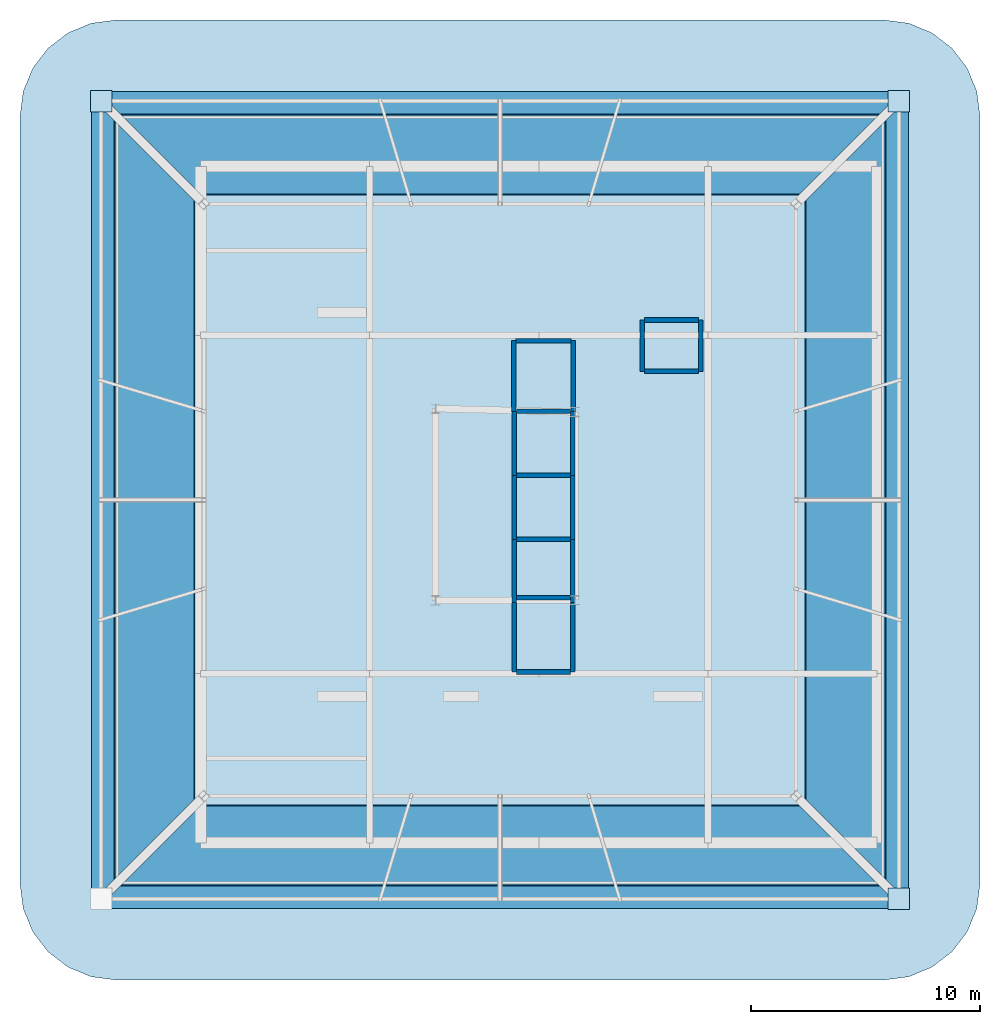
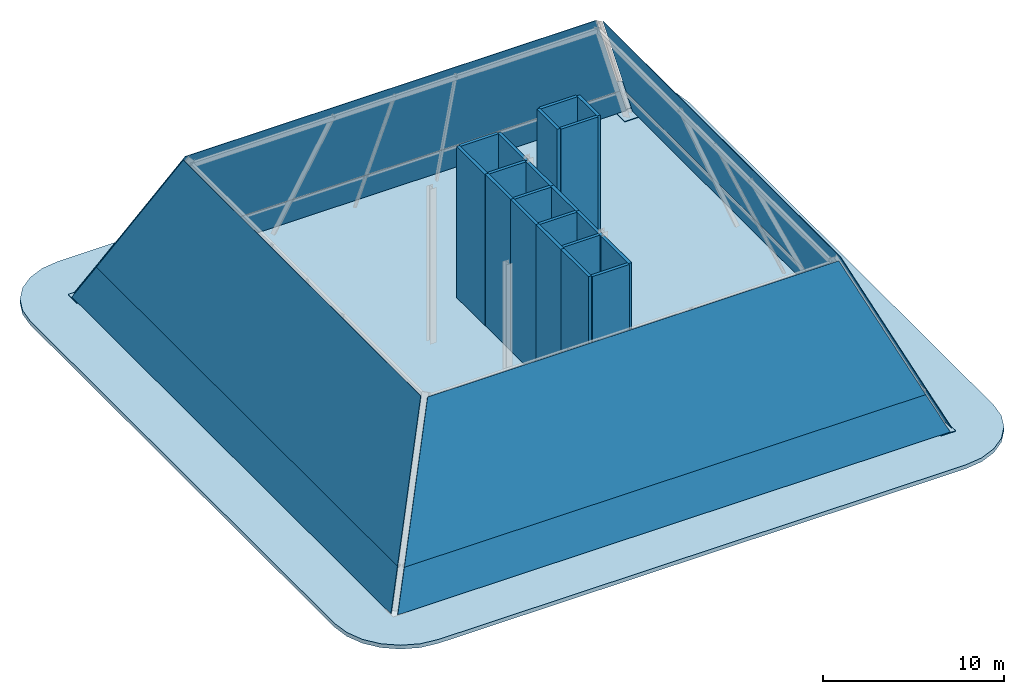
# One storey, part 2 of 2: 20 walls, 11 plates, 1 slab, 4 elements without a shape of their own.
"""IFC4 building model written with IfcOpenShell, lengths in metres."""

from ifc_helpers import new_model, si_unit, direction, frame, frame_2d, origin, origin_2d, place, context, subcontext, project, spatial, polyline, rectangle, outline, extrude, material, layer, layer_set, type_object, element, aggregate, save


model = new_model("IFC4")

# Units and contexts
model_context = context("Model", 3, precision=1e-05, world=origin(), true_north=direction((0.0, 1.0)))
body_context = subcontext(model_context, "Body", "Model", "MODEL_VIEW")
ifc_project = project(units=[si_unit("LENGTHUNIT", "METRE"), si_unit("AREAUNIT", "SQUARE_METRE"), si_unit("VOLUMEUNIT", "CUBIC_METRE"), si_unit("PLANEANGLEUNIT", "RADIAN"), si_unit("MASSUNIT", "GRAM", prefix="KILO")], contexts=[model_context])

# Site, building, storey
site_placement = place(None, origin())
site = spatial("IfcSite", under=ifc_project, at=site_placement, CompositionType="ELEMENT")
building_placement = place(site_placement, origin())
building = spatial("IfcBuilding", under=site, at=building_placement, Name="Khorvyn Point Tower", CompositionType="ELEMENT")
storey_placement = place(building_placement, frame((0.0, 0.0, 313.199951171875)))
storey = spatial("IfcBuildingStorey", under=building, at=storey_placement, Name="L77", CompositionType="ELEMENT", Elevation=313.199951171875)

# Slab
ifc_material_1 = material(Name="Concrete C40/50", Category="concrete")
ifc_layer_1 = layer(ifc_material_1, 0.260009765625)
ifc_layer_set_1 = layer_set([ifc_layer_1], Name="Concrete C40/50 Crown Apex Cap Slab 260")
slab_type = type_object("IfcSlabType", Name="Concrete C40/50 Crown Apex Cap Slab 260", PredefinedType="ROOF", material=ifc_layer_set_1)
slab_placement = place(storey_placement, frame((0.0, 0.0, -0.260009765625)))
element("IfcSlab", 1, at=slab_placement, inside=storey, type_object=slab_type, Name="L77 Main Structural Roof Slab", PredefinedType="ROOF", context=body_context, shape_type="SweptSolid", body=[
    extrude(outline(polyline([(15.10009765625, -20.800048828125), (16.18701171875, -20.656982421875), (17.199951171875, -20.2373046875), (18.06982421875, -19.56982421875), (18.7373046875, -18.699951171875), (19.156982421875, -17.68701171875), (19.300048828125, -16.60009765625), (19.300048828125, 17.0), (19.156982421875, 18.0869140625), (18.7373046875, 19.10009765625), (18.06982421875, 19.9697265625), (17.199951171875, 20.63720703125), (16.18701171875, 21.056884765625), (15.10009765625, 21.199951171875), (-18.5, 21.199951171875), (-19.5869140625, 21.056884765625), (-20.60009765625, 20.63720703125), (-21.4697265625, 19.9697265625), (-22.13720703125, 19.10009765625), (-22.556884765625, 18.0869140625), (-22.699951171875, 17.0), (-22.699951171875, -16.60009765625), (-22.556884765625, -17.68701171875), (-22.13720703125, -18.699951171875), (-21.4697265625, -19.56982421875), (-20.60009765625, -20.2373046875), (-19.5869140625, -20.656982421875), (-18.5, -20.800048828125), (15.10009765625, -20.800048828125)])), origin(), (0.0, 0.0, 1.0), 0.260009765625),
])

# Curtain wall, plate
ifc_material_2 = material(Name="Anodised aluminium 6063-T6 and laminated Low-E glass", Category="aluminium")
ifc_layer_2 = layer(ifc_material_2, 0.18994140625)
ifc_layer_set_2 = layer_set([ifc_layer_2], Name="Stick-Built Crystal Atrium Curtain Wall CW-SYS-06")
curtain_wall_type = type_object("IfcCurtainWallType", Name="Stick-Built Crystal Atrium Curtain Wall CW-SYS-06", PredefinedType="NOTDEFINED", material=ifc_layer_set_2)
curtain_wall_1_placement = place(storey_placement, origin())
curtain_wall_1 = element("IfcCurtainWall", 2, at=curtain_wall_1_placement, inside=storey, type_object=curtain_wall_type, Name="L77 Glass-Point Crown Pyramid South Curtain Wall", PredefinedType="NOTDEFINED")
ifc_material_3 = material(Name="Pale anodised aluminium 5005", Category="aluminium")
ifc_layer_3 = layer(ifc_material_3, 0.0400390625)
ifc_layer_set_3 = layer_set([ifc_layer_3], Name="Pale Champagne Aluminium Insulated Spandrel Panel CW-SP40")
plate_type_1 = type_object("IfcPlateType", Name="Pale Champagne Aluminium Insulated Spandrel Panel CW-SP40", PredefinedType="SHEET", material=ifc_layer_set_3)
plate_1_placement = place(storey_placement, frame((-19.300048828125, -17.679931640625, 0.0400390625), z_axis=(0.0, -0.915909534935, 0.401384757826), x_axis=(1.0, 0.0, 0.0)))
plate_1 = element("IfcPlate", 3, at=plate_1_placement, type_object=plate_type_1, Name="L77 Crown Spandrel Skirt SOUTH", PredefinedType="SHEET", context=body_context, shape_type="SweptSolid", body=[
    extrude(outline(polyline([(0.0, 0.0), (35.199951171875, 0.0), (34.2099609375, 2.466437040951799), (0.989990234375, 2.466437040951799), (0.0, 0.0)])), origin(), (0.0, 0.0, -1.0), 0.0400390625),
])

curtain_wall_2_placement = place(storey_placement, origin())
curtain_wall_2 = element("IfcCurtainWall", 4, at=curtain_wall_2_placement, inside=storey, type_object=curtain_wall_type, Name="L77 Glass-Point Crown Pyramid East Curtain Wall", PredefinedType="NOTDEFINED")
plate_2_placement = place(storey_placement, frame((16.179931640625, -17.39990234375, 0.0400390625), z_axis=(0.915909534935, 0.0, 0.401384757826), x_axis=(0.0, 1.0, 0.0)))
plate_2 = element("IfcPlate", 5, at=plate_2_placement, type_object=plate_type_1, Name="L77 Crown Spandrel Skirt EAST", PredefinedType="SHEET", context=body_context, shape_type="SweptSolid", body=[
    extrude(outline(polyline([(0.0, 0.0), (35.199951171875, 0.0), (34.2099609375, 2.466437040951799), (0.989990234375, 2.466437040951799), (0.0, 0.0)])), origin(), (0.0, 0.0, -1.0), 0.0400390625),
])

curtain_wall_3_placement = place(storey_placement, origin())
curtain_wall_3 = element("IfcCurtainWall", 6, at=curtain_wall_3_placement, inside=storey, type_object=curtain_wall_type, Name="L77 Glass-Point Crown Pyramid North Curtain Wall", PredefinedType="NOTDEFINED")
plate_3_placement = place(storey_placement, frame((15.89990234375, 18.080078125, 0.0400390625), z_axis=(0.0, 0.915909534935, 0.401384757826), x_axis=(-1.0, 0.0, 0.0)))
plate_3 = element("IfcPlate", 7, at=plate_3_placement, type_object=plate_type_1, Name="L77 Crown Spandrel Skirt NORTH", PredefinedType="SHEET", context=body_context, shape_type="SweptSolid", body=[
    extrude(outline(polyline([(0.0, 0.0), (35.199951171875, 0.0), (34.2099609375, 2.466437040951799), (0.989990234375, 2.466437040951799), (0.0, 0.0)])), origin(), (0.0, 0.0, -1.0), 0.0400390625),
])

curtain_wall_4_placement = place(storey_placement, origin())
curtain_wall_4 = element("IfcCurtainWall", 8, at=curtain_wall_4_placement, inside=storey, type_object=curtain_wall_type, Name="L77 Glass-Point Crown Pyramid West Curtain Wall", PredefinedType="NOTDEFINED")
plate_4_placement = place(storey_placement, frame((-19.580078125, 17.800048828125, 0.0400390625), z_axis=(-0.915909534935, 0.0, 0.401384757826), x_axis=(0.0, -1.0, 0.0)))
plate_4 = element("IfcPlate", 9, at=plate_4_placement, type_object=plate_type_1, Name="L77 Crown Spandrel Skirt WEST", PredefinedType="SHEET", context=body_context, shape_type="SweptSolid", body=[
    extrude(outline(polyline([(0.0, 0.0), (35.199951171875, 0.0), (34.2099609375, 2.466437040951799), (0.989990234375, 2.466437040951799), (0.0, 0.0)])), origin(), (0.0, 0.0, -1.0), 0.0400390625),
])

# Plates
ifc_material_4 = material(Name="Steel S355", Category="steel")
ifc_layer_4 = layer(ifc_material_4, 0.035888671875)
ifc_layer_set_4 = layer_set([ifc_layer_4], Name="Steel S355 Crown Node Base Plate 36")
plate_type_2 = type_object("IfcPlateType", Name="Steel S355 Crown Node Base Plate 36", PredefinedType="USERDEFINED", material=ifc_layer_set_4)
for number, where, z_axis, x_axis, name in (
    (10, (15.75, -17.25, 0.0), (0.0, 0.0, 1.0), (1.0, 0.0, 0.0), "L77 CROWN FRAME Base Anchor Plate 2"),
    (11, (15.75, 17.64990234375, 0.0), (0.0, 0.0, 1.0), (1.0, 0.0, 0.0), "L77 CROWN FRAME Base Anchor Plate 3"),
    (12, (-19.14990234375, 17.64990234375, 0.0), (0.0, 0.0, 1.0), (1.0, 0.0, 0.0), "L77 CROWN FRAME Base Anchor Plate 4"),
):
    element("IfcPlate", number, at=place(storey_placement, frame(where, z_axis=z_axis, x_axis=x_axis)), inside=storey, type_object=plate_type_2, Name=name, ObjectType="FLANGE", PredefinedType="USERDEFINED", context=body_context, shape_type="SweptSolid", body=[
        extrude(rectangle(XDim=0.949951171875, YDim=0.949951171875, at=origin_2d()), origin(), (0.0, 0.0, 1.0), 0.035888671875),
    ])

# Plate
ifc_material_5 = material(Name="Laminated Low-E insulated glass", Category="glass")
ifc_layer_5 = layer(ifc_material_5, 0.028076171875)
ifc_layer_set_5 = layer_set([ifc_layer_5], Name="Tempered Low-E Vision Glazing Panel CW-GL28")
plate_type_3 = type_object("IfcPlateType", Name="Tempered Low-E Vision Glazing Panel CW-GL28", PredefinedType="CURTAIN_PANEL", material=ifc_layer_set_5)
plate_5_placement = place(storey_placement, frame((-18.31005859375, -16.68994140625, 2.299072265625), z_axis=(0.0, -0.91775337629, 0.397150777802), x_axis=(1.0, 0.0, 0.0)))
plate_5 = element("IfcPlate", 13, at=plate_5_placement, type_object=plate_type_3, Name="L77 Crown Glass-Point Facet SOUTH", PredefinedType="CURTAIN_PANEL", context=body_context, shape_type="SweptSolid", body=[
    extrude(outline(polyline([(0.0, 0.0), (33.219970703125, 0.0), (29.7099609375, 8.837977820540594), (3.510009765625, 8.837977820540594), (0.0, 0.0)])), origin(), (0.0, 0.0, -1.0), 0.028076171875),
])

aggregate(curtain_wall_1, [plate_1, plate_5])

plate_6_placement = place(storey_placement, frame((15.18994140625, -16.409912109375, 2.299072265625), z_axis=(0.91775337629, 0.0, 0.397150777802), x_axis=(0.0, 1.0, 0.0)))
plate_6 = element("IfcPlate", 14, at=plate_6_placement, type_object=plate_type_3, Name="L77 Crown Glass-Point Facet EAST", PredefinedType="CURTAIN_PANEL", context=body_context, shape_type="SweptSolid", body=[
    extrude(outline(polyline([(0.0, 0.0), (33.219970703125, 0.0), (29.7099609375, 8.837977820540594), (3.510009765625, 8.837977820540594), (0.0, 0.0)])), origin(), (0.0, 0.0, -1.0), 0.028076171875),
])

aggregate(curtain_wall_2, [plate_2, plate_6])

plate_7_placement = place(storey_placement, frame((14.909912109375, 17.090087890625, 2.299072265625), z_axis=(0.0, 0.91775337629, 0.397150777802), x_axis=(-1.0, 0.0, 0.0)))
plate_7 = element("IfcPlate", 15, at=plate_7_placement, type_object=plate_type_3, Name="L77 Crown Glass-Point Facet NORTH", PredefinedType="CURTAIN_PANEL", context=body_context, shape_type="SweptSolid", body=[
    extrude(outline(polyline([(0.0, 0.0), (33.219970703125, 0.0), (29.7099609375, 8.837977820540594), (3.510009765625, 8.837977820540594), (0.0, 0.0)])), origin(), (0.0, 0.0, -1.0), 0.028076171875),
])

aggregate(curtain_wall_3, [plate_3, plate_7])

plate_8_placement = place(storey_placement, frame((-18.590087890625, 16.81005859375, 2.299072265625), z_axis=(-0.91775337629, 0.0, 0.397150777802), x_axis=(0.0, -1.0, 0.0)))
plate_8 = element("IfcPlate", 16, at=plate_8_placement, type_object=plate_type_3, Name="L77 Crown Glass-Point Facet WEST", PredefinedType="CURTAIN_PANEL", context=body_context, shape_type="SweptSolid", body=[
    extrude(outline(polyline([(0.0, 0.0), (33.219970703125, 0.0), (29.7099609375, 8.837977820540594), (3.510009765625, 8.837977820540594), (0.0, 0.0)])), origin(), (0.0, 0.0, -1.0), 0.028076171875),
])

aggregate(curtain_wall_4, [plate_4, plate_8])

# Walls
ifc_layer_6 = layer(ifc_material_1, 0.199951171875)
ifc_layer_set_6 = layer_set([ifc_layer_6], Name="Concrete C40/50 Structural Hoistway and Stair Shaft Wall 200")
wall_type = type_object("IfcWallType", Name="Concrete C40/50 Structural Hoistway and Stair Shaft Wall 200", PredefinedType="SHEAR", material=ifc_layer_set_6)
for number, where, z_axis, x_axis, name in (
    (17, (-1.074951171875, -4.27490234375, 0.0), (0.0, 0.0, 1.0), (0.0, 1.0, 0.0), "Wall"),
    (18, (1.47509765625, -4.27490234375, 0.0), (0.0, 0.0, 1.0), (0.0, 1.0, 0.0), "Wall"),
):
    element("IfcWall", number, at=place(storey_placement, frame(where, z_axis=z_axis, x_axis=x_axis)), inside=storey, type_object=wall_type, Name=name, PredefinedType="SHEAR", context=body_context, shape_type="SweptSolid", body=[
        extrude(rectangle(XDim=2.75, YDim=0.199951171875, at=frame_2d((1.375, 0.0))), origin(), (0.0, 0.0, 1.0), 10.18994140625),
    ])
for number, where, z_axis, x_axis, name in (
    (19, (-0.97509765625, -4.074951171875, 0.0), (0.0, 0.0, 1.0), (1.0, 0.0, 0.0), "Wall"),
    (20, (-0.97509765625, -1.52490234375, 0.0), (0.0, 0.0, 1.0), (1.0, 0.0, 0.0), "Wall"),
):
    element("IfcWall", number, at=place(storey_placement, frame(where, z_axis=z_axis, x_axis=x_axis)), inside=storey, type_object=wall_type, Name=name, PredefinedType="SHEAR", context=body_context, shape_type="SweptSolid", body=[
        extrude(rectangle(XDim=2.35009765625, YDim=0.199951171875, at=frame_2d((1.175048828125, 0.0))), origin(), (0.0, 0.0, 1.0), 10.18994140625),
    ])
for number, where, z_axis, x_axis, name in (
    (21, (-1.074951171875, -1.52490234375, 0.0), (0.0, 0.0, 1.0), (0.0, 1.0, 0.0), "Wall"),
    (22, (1.47509765625, -1.52490234375, 0.0), (0.0, 0.0, 1.0), (0.0, 1.0, 0.0), "Wall"),
):
    element("IfcWall", number, at=place(storey_placement, frame(where, z_axis=z_axis, x_axis=x_axis)), inside=storey, type_object=wall_type, Name=name, PredefinedType="SHEAR", context=body_context, shape_type="SweptSolid", body=[
        extrude(rectangle(XDim=2.7998046875, YDim=0.199951171875, at=frame_2d((1.39990234375, 0.0))), origin(), (0.0, 0.0, 1.0), 10.18994140625),
    ])
wall_1_placement = place(storey_placement, frame((-0.97509765625, 1.27490234375, 0.0), z_axis=(0.0, 0.0, 1.0), x_axis=(1.0, 0.0, 0.0)))
element("IfcWall", 23, at=wall_1_placement, inside=storey, type_object=wall_type, Name="Wall", PredefinedType="SHEAR", context=body_context, shape_type="SweptSolid", body=[
    extrude(rectangle(XDim=2.35009765625, YDim=0.199951171875, at=frame_2d((1.175048828125, 0.0))), origin(), (0.0, 0.0, 1.0), 10.18994140625),
])
for number, where, z_axis, x_axis, name in (
    (24, (-1.074951171875, 1.27490234375, 0.0), (0.0, 0.0, 1.0), (0.0, 1.0, 0.0), "Wall"),
    (25, (1.47509765625, 1.27490234375, 0.0), (0.0, 0.0, 1.0), (0.0, 1.0, 0.0), "Wall"),
):
    element("IfcWall", number, at=place(storey_placement, frame(where, z_axis=z_axis, x_axis=x_axis)), inside=storey, type_object=wall_type, Name=name, PredefinedType="SHEAR", context=body_context, shape_type="SweptSolid", body=[
        extrude(rectangle(XDim=2.800048828125, YDim=0.199951171875, at=frame_2d((1.39990234375, 0.0))), origin(), (0.0, 0.0, 1.0), 10.18994140625),
    ])
wall_2_placement = place(storey_placement, frame((-0.97509765625, 4.074951171875, 0.0), z_axis=(0.0, 0.0, 1.0), x_axis=(1.0, 0.0, 0.0)))
element("IfcWall", 26, at=wall_2_placement, inside=storey, type_object=wall_type, Name="Wall", PredefinedType="SHEAR", context=body_context, shape_type="SweptSolid", body=[
    extrude(rectangle(XDim=2.35009765625, YDim=0.199951171875, at=frame_2d((1.175048828125, 0.0))), origin(), (0.0, 0.0, 1.0), 10.18994140625),
])
for number, where, z_axis, x_axis, name in (
    (27, (-1.10009765625, 4.02490234375, 0.0), (0.0, 0.0, 1.0), (0.0, 1.0, 0.0), "Wall"),
    (28, (1.5, 4.02490234375, 0.0), (0.0, 0.0, 1.0), (0.0, 1.0, 0.0), "Wall"),
):
    element("IfcWall", number, at=place(storey_placement, frame(where, z_axis=z_axis, x_axis=x_axis)), inside=storey, type_object=wall_type, Name=name, PredefinedType="SHEAR", context=body_context, shape_type="SweptSolid", body=[
        extrude(rectangle(XDim=3.150146484375, YDim=0.199951171875, at=frame_2d((1.5751953125, 0.0))), origin(), (0.0, 0.0, 1.0), 10.18994140625),
    ])
wall_3_placement = place(storey_placement, frame((-1.0, 7.175048828125, 0.0), z_axis=(0.0, 0.0, 1.0), x_axis=(1.0, 0.0, 0.0)))
element("IfcWall", 29, at=wall_3_placement, inside=storey, type_object=wall_type, Name="Wall", PredefinedType="SHEAR", context=body_context, shape_type="SweptSolid", body=[
    extrude(rectangle(XDim=2.39990234375, YDim=0.199951171875, at=frame_2d((1.199951171875, 0.0))), origin(), (0.0, 0.0, 1.0), 10.18994140625),
])
for number, where, z_axis, x_axis, name in (
    (30, (-1.074951171875, -7.324951171875, 0.0), (0.0, 0.0, 1.0), (0.0, 1.0, 0.0), "Wall"),
    (31, (1.47509765625, -7.324951171875, 0.0), (0.0, 0.0, 1.0), (0.0, 1.0, 0.0), "Wall"),
):
    element("IfcWall", number, at=place(storey_placement, frame(where, z_axis=z_axis, x_axis=x_axis)), inside=storey, type_object=wall_type, Name=name, PredefinedType="SHEAR", context=body_context, shape_type="SweptSolid", body=[
        extrude(rectangle(XDim=3.050048828125, YDim=0.199951171875, at=frame_2d((1.52490234375, 0.0))), origin(), (0.0, 0.0, 1.0), 10.18994140625),
    ])
wall_4_placement = place(storey_placement, frame((-0.97509765625, -7.324951171875, 0.0), z_axis=(0.0, 0.0, 1.0), x_axis=(1.0, 0.0, 0.0)))
element("IfcWall", 32, at=wall_4_placement, inside=storey, type_object=wall_type, Name="Wall", PredefinedType="SHEAR", context=body_context, shape_type="SweptSolid", body=[
    extrude(rectangle(XDim=2.35009765625, YDim=0.199951171875, at=frame_2d((1.175048828125, 0.0))), origin(), (0.0, 0.0, 1.0), 10.18994140625),
])
for number, where, z_axis, x_axis, name in (
    (33, (4.52490234375, 5.824951171875, 0.0), (0.0, 0.0, 1.0), (0.0, 1.0, 0.0), "Wall"),
    (34, (7.074951171875, 5.824951171875, 0.0), (0.0, 0.0, 1.0), (0.0, 1.0, 0.0), "Wall"),
):
    element("IfcWall", number, at=place(storey_placement, frame(where, z_axis=z_axis, x_axis=x_axis)), inside=storey, type_object=wall_type, Name=name, PredefinedType="SHEAR", context=body_context, shape_type="SweptSolid", body=[
        extrude(rectangle(XDim=2.25, YDim=0.199951171875, at=frame_2d((1.125, 0.0))), origin(), (0.0, 0.0, 1.0), 10.18994140625),
    ])
for number, where, z_axis, x_axis, name in (
    (35, (4.625, 5.824951171875, 0.0), (0.0, 0.0, 1.0), (1.0, 0.0, 0.0), "Wall"),
    (36, (4.625, 8.074951171875, 0.0), (0.0, 0.0, 1.0), (1.0, 0.0, 0.0), "Wall"),
):
    element("IfcWall", number, at=place(storey_placement, frame(where, z_axis=z_axis, x_axis=x_axis)), inside=storey, type_object=wall_type, Name=name, PredefinedType="SHEAR", context=body_context, shape_type="SweptSolid", body=[
        extrude(rectangle(XDim=2.35009765625, YDim=0.199951171875, at=frame_2d((1.175048828125, 0.0))), origin(), (0.0, 0.0, 1.0), 10.18994140625),
    ])

save(model, "model.ifc")
